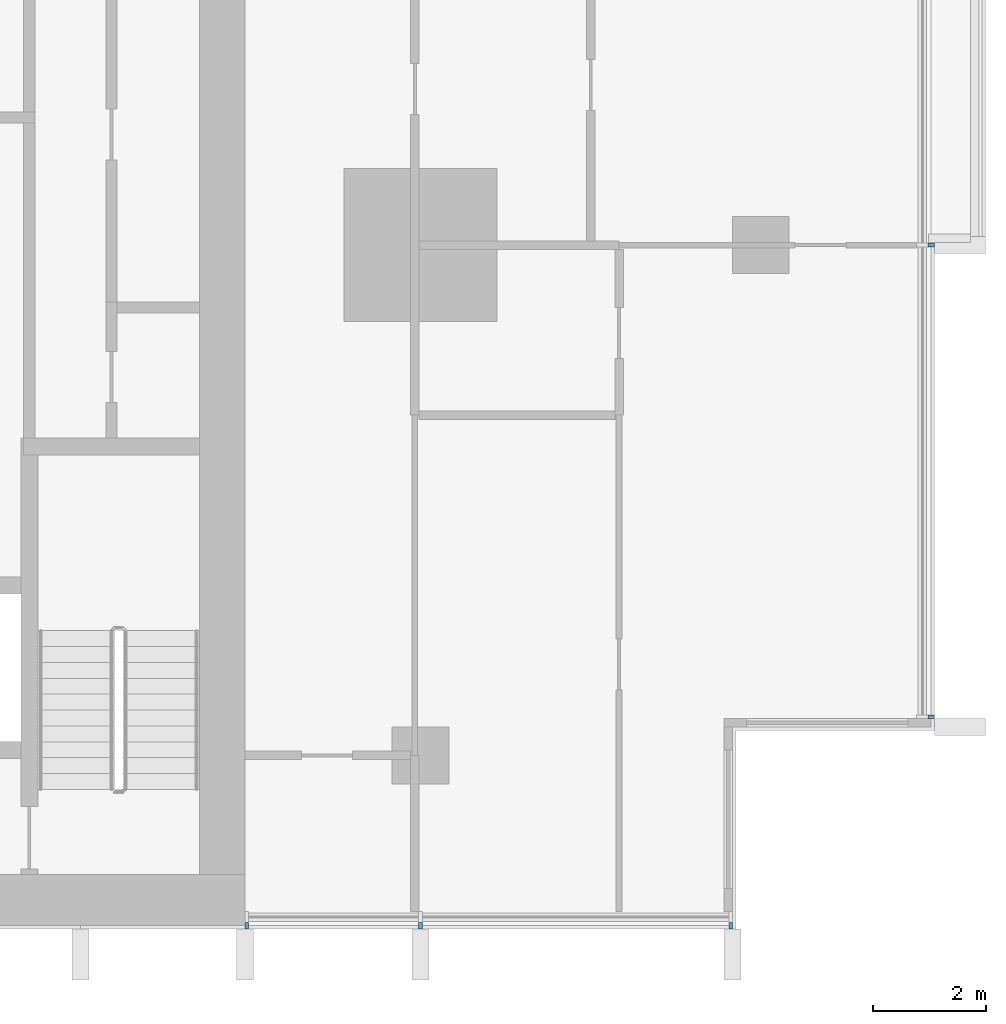
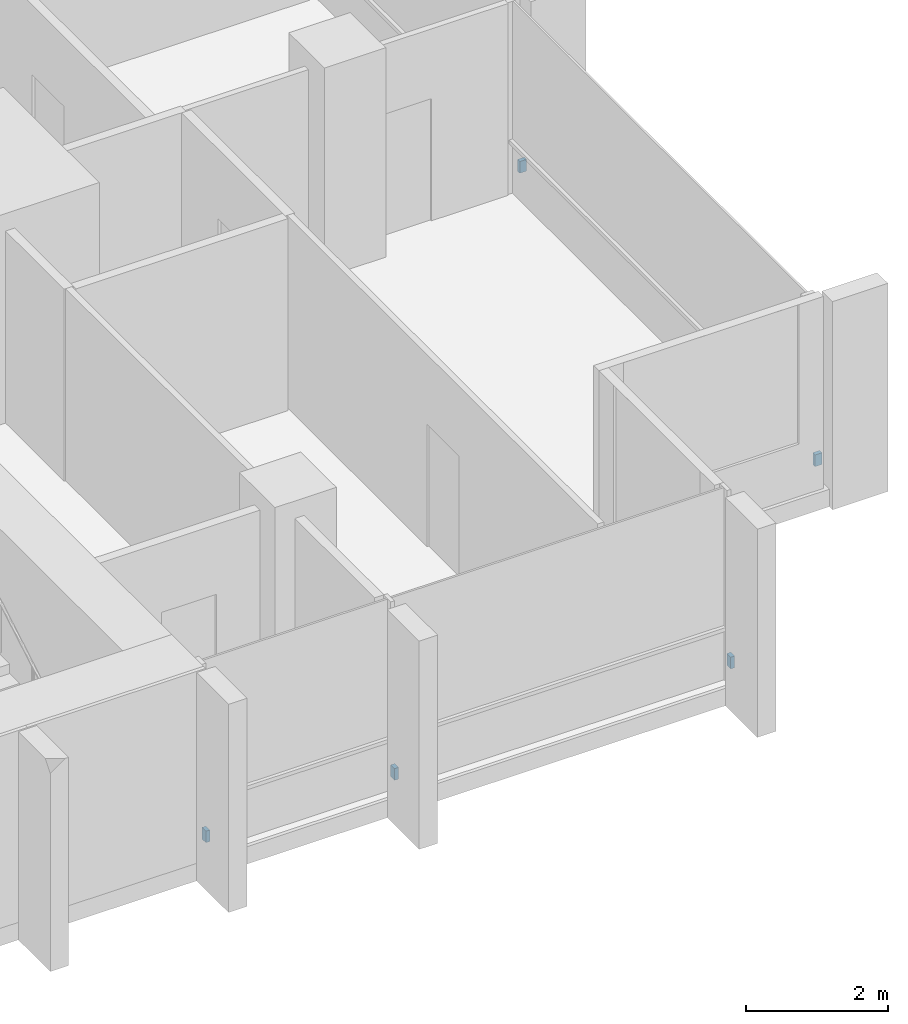
# One storey, part 14 of 17: 5 discrete accessories.
"""IFC4 building model written with IfcOpenShell, lengths in metres."""

from ifc_helpers import new_model, si_unit, direction, frame, origin, origin_2d, place, context, subcontext, project, spatial, rectangle, extrude, material, type_object, element, save


model = new_model("IFC4")

# Units and contexts
model_context = context("Model", 3, precision=1e-05, world=origin(), true_north=direction((0.0, 1.0)))
body_context = subcontext(model_context, "Body", "Model", "MODEL_VIEW")
ifc_project = project(units=[si_unit("LENGTHUNIT", "METRE"), si_unit("AREAUNIT", "SQUARE_METRE"), si_unit("VOLUMEUNIT", "CUBIC_METRE"), si_unit("PLANEANGLEUNIT", "RADIAN"), si_unit("MASSUNIT", "GRAM", prefix="KILO")], contexts=[model_context])

# Site, building, storey
site_placement = place(None, origin())
site = spatial("IfcSite", under=ifc_project, at=site_placement, CompositionType="ELEMENT")
building_placement = place(site_placement, origin())
building = spatial("IfcBuilding", under=site, at=building_placement, Name="Finial Court Residences", CompositionType="ELEMENT")
storey_placement = place(building_placement, frame((0.0, 0.0, 113.5)))
storey = spatial("IfcBuildingStorey", under=building, at=storey_placement, Name="L28", CompositionType="ELEMENT", Elevation=113.5)

# Discrete accessories
ifc_material = material(Name="Stainless steel 316", Category="steel")
discrete_accessory_type = type_object("IfcDiscreteAccessoryType", Name="Fin bracket, stainless steel 65 x 110 x 200", PredefinedType="BRACKET", material=ifc_material)
for number, where, z_axis, x_axis, name in (
    (1, (25.5048828125, -21.8173828125, 0.2998046875), (0.0, 0.0, 1.0), (1.0, 0.0, 0.0), "E-L28-FIN-E9-BRK"),
    (2, (25.5048828125, -13.5, 0.2998046875), (0.0, 0.0, 1.0), (1.0, 0.0, 0.0), "E-L28-FIN-E10-BRK"),
):
    element("IfcDiscreteAccessory", number, at=place(storey_placement, frame(where, z_axis=z_axis, x_axis=x_axis)), inside=storey, type_object=discrete_accessory_type, Name=name, PredefinedType="BRACKET", context=body_context, shape_type="SweptSolid", body=[
        extrude(rectangle(XDim=0.110107421875, YDim=0.06494140625, at=origin_2d()), origin(), (0.0, 0.0, 1.0), 0.199951171875),
    ])
for number, where, z_axis, x_axis, name in (
    (3, (13.4326171875, -25.5048828125, 0.2998046875), (0.0, 0.0, 1.0), (1.0, 0.0, 0.0), "E-L28-FIN-S23-BRK"),
    (4, (16.5, -25.5048828125, 0.2998046875), (0.0, 0.0, 1.0), (1.0, 0.0, 0.0), "E-L28-FIN-S24-BRK"),
    (5, (21.967529296875, -25.5048828125, 0.2998046875), (0.0, 0.0, 1.0), (1.0, 0.0, 0.0), "E-L28-FIN-S25-BRK"),
):
    element("IfcDiscreteAccessory", number, at=place(storey_placement, frame(where, z_axis=z_axis, x_axis=x_axis)), inside=storey, type_object=discrete_accessory_type, Name=name, PredefinedType="BRACKET", context=body_context, shape_type="SweptSolid", body=[
        extrude(rectangle(XDim=0.06494140625, YDim=0.110107421875, at=origin_2d()), origin(), (0.0, 0.0, 1.0), 0.199951171875),
    ])

save(model, "model.ifc")
